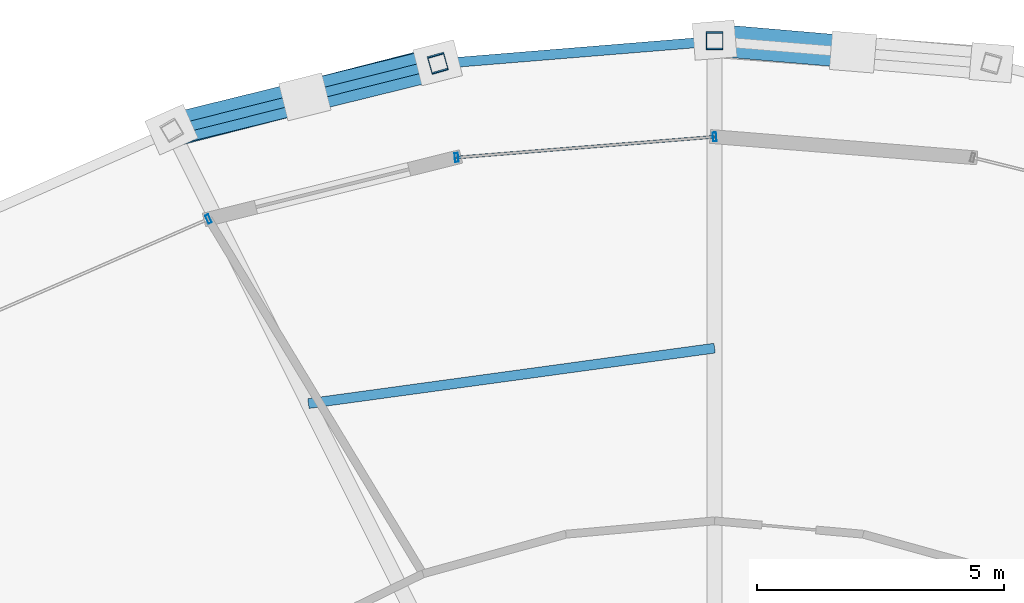
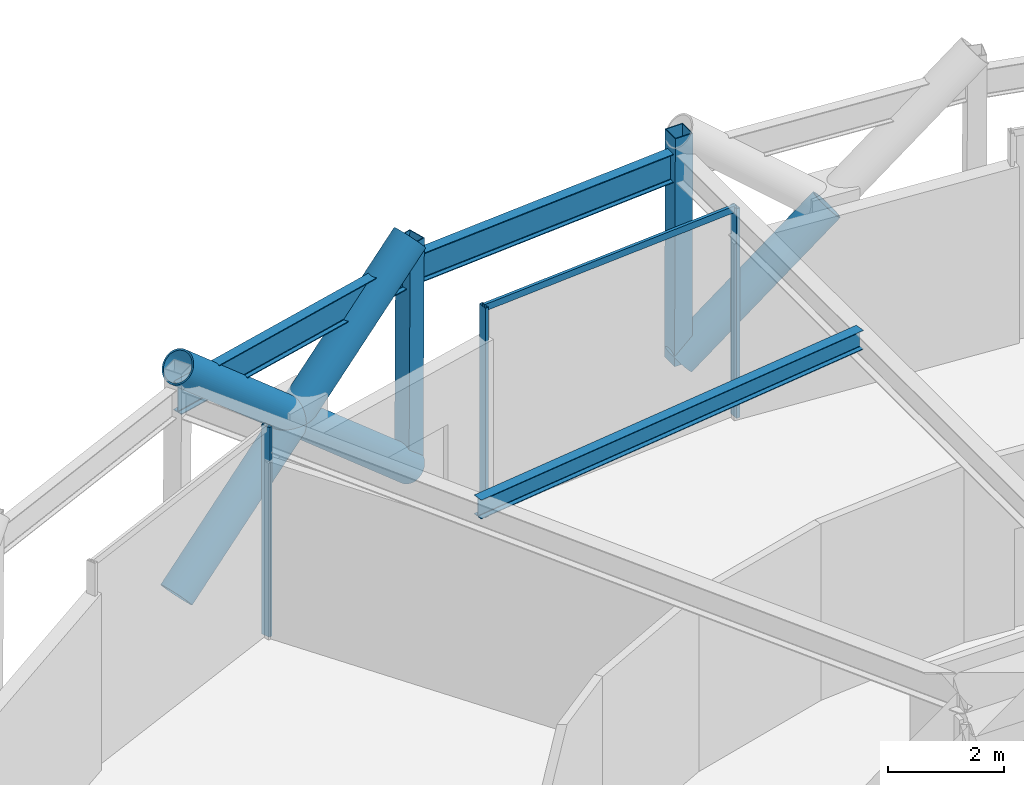
# One storey, part 25 of 39: 10 members, 3 beams, 2 elements without a shape of their own.
"""IFC4 building model written with IfcOpenShell, lengths in metres."""

import ifcopenshell
import ifcopenshell.guid

model = None  # the IFC model being written
_history = None  # IfcOwnerHistory: only IFC2X3 demands one
_inside = {}  # id of a spatial element -> (the spatial element, [elements in it])
_under = {}  # id of a project, library or spatial element -> (it, [spatial elements below it])
_declared = {}  # id of a project -> (the project, [libraries it declares])
_typed = {}  # id of a type object -> (the type object, [elements of that type])
_made_of = {}  # id of a material, layer set ... -> (it, [elements and type objects made of it])


def new_model(schema):
    """Start an empty IFC model of exactly this schema.

    Asked for "IFC4X3", IfcOpenShell would pick the latest addendum, in which some entities
    have other attributes; the version numbers below select the first issue.
    IFC2X3 requires an IfcOwnerHistory on every rooted entity: one is made here for all.
    """
    global model, _history
    if schema == "IFC4X3":
        model = ifcopenshell.file(schema_version=(4, 3, 0, 0))
    else:
        model = ifcopenshell.file(schema=schema)
    _inside.clear()
    _under.clear()
    _declared.clear()
    _typed.clear()
    _made_of.clear()
    _history = None
    if model.schema == "IFC2X3":
        org = make("IfcOrganization", Name="unknown")
        user = make(
            "IfcPersonAndOrganization",
            ThePerson=make("IfcPerson", FamilyName="unknown"),
            TheOrganization=org,
        )
        app = make(
            "IfcApplication",
            ApplicationDeveloper=org,
            Version="unknown",
            ApplicationFullName="unknown",
            ApplicationIdentifier="unknown",
        )
        _history = make(
            "IfcOwnerHistory",
            OwningUser=user,
            OwningApplication=app,
            ChangeAction="ADDED",
            CreationDate=0,
        )
    return model


def make(cls, **values):
    """One entity of the class cls with the attributes given. An attribute that is None is left unset."""
    return model.create_entity(
        cls, **{name: value for name, value in values.items() if value is not None}
    )


def rooted(cls, **values):
    """An entity with a GlobalId (a new one), such as an element, a storey or a relation."""
    return make(cls, GlobalId=ifcopenshell.guid.new(), OwnerHistory=_history, **values)


def si_unit(unit_type, name, prefix=None):
    """IfcSIUnit, for example si_unit("LENGTHUNIT", "METRE", prefix="MILLI")."""
    return make("IfcSIUnit", UnitType=unit_type, Prefix=prefix, Name=name)


def assignment(units):
    """IfcUnitAssignment: the units of a project."""
    return None if units is None else make("IfcUnitAssignment", Units=units)


def point(xyz):
    """IfcCartesianPoint."""
    return None if xyz is None else make("IfcCartesianPoint", Coordinates=xyz)


def direction(xyz):
    """IfcDirection."""
    return None if xyz is None else make("IfcDirection", DirectionRatios=xyz)


def frame(location, z_axis=None, x_axis=None):
    """IfcAxis2Placement3D, a coordinate frame: its origin and axes. An axis left out is left unset."""
    return make(
        "IfcAxis2Placement3D",
        Location=point(location),
        Axis=direction(z_axis),
        RefDirection=direction(x_axis),
    )


def frame_2d(location, x_axis=None):
    """IfcAxis2Placement2D, a coordinate frame in the plane: its origin and x axis."""
    return make(
        "IfcAxis2Placement2D", Location=point(location), RefDirection=direction(x_axis)
    )


def origin():
    """The frame at (0, 0, 0) with its axes left unset."""
    return frame((0.0, 0.0, 0.0))


def origin_2d():
    """The frame at (0, 0) in the plane with its x axis left unset."""
    return frame_2d((0.0, 0.0))


def place(relative_to, where):
    """IfcLocalPlacement: puts the frame where relative to a parent placement (None: the world)."""
    return make(
        "IfcLocalPlacement", PlacementRelTo=relative_to, RelativePlacement=where
    )


def context(
    kind, dimensions, precision=None, world=None, true_north=None, identifier=None
):
    """IfcGeometricRepresentationContext, for example the 3D "Model" context."""
    return make(
        "IfcGeometricRepresentationContext",
        ContextIdentifier=identifier,
        ContextType=kind,
        CoordinateSpaceDimension=dimensions,
        Precision=precision,
        WorldCoordinateSystem=world,
        TrueNorth=true_north,
    )


def subcontext(parent, identifier, kind, view, scale=None):
    """IfcGeometricRepresentationSubContext, for example "Body" below "Model"."""
    return make(
        "IfcGeometricRepresentationSubContext",
        ContextIdentifier=identifier,
        ContextType=kind,
        ParentContext=parent,
        TargetScale=scale,
        TargetView=view,
    )


def project(units=None, contexts=None):
    """IfcProject with its units and contexts."""
    return rooted(
        "IfcProject",
        Name="project",
        RepresentationContexts=contexts,
        UnitsInContext=assignment(units),
    )


def spatial(cls, under=None, at=None, **own):
    """A site, building, storey or space (cls), placed at a placement, below another one or the project."""
    s = rooted(cls, ObjectPlacement=at, **own)
    if under is not None:
        _under.setdefault(under.id(), (under, []))[1].append(s)
    return s


def profile(cls, at=None, kind="AREA", **sizes):
    """A parametric profile (cls). Its sizes go by their IFC names, for example OverallWidth=200.0."""
    return make(cls, ProfileType=kind, Position=at, **sizes)


def hollow_rectangle(**sizes):
    """IfcRectangleHollowProfileDef."""
    return profile("IfcRectangleHollowProfileDef", **sizes)


def hollow_circle(**sizes):
    """IfcCircleHollowProfileDef."""
    return profile("IfcCircleHollowProfileDef", **sizes)


def i_section(**sizes):
    """IfcIShapeProfileDef."""
    return profile("IfcIShapeProfileDef", **sizes)


def extrude(swept, where, along, depth):
    """IfcExtrudedAreaSolid: the profile swept, set in the frame where, extruded along a direction by depth."""
    return make(
        "IfcExtrudedAreaSolid",
        SweptArea=swept,
        Position=where,
        ExtrudedDirection=direction(along),
        Depth=depth,
    )


def shape(context_of_items, identifier, shape_type, items):
    """IfcShapeRepresentation: the items that make up one representation, for example the "Body"."""
    return make(
        "IfcShapeRepresentation",
        ContextOfItems=context_of_items,
        RepresentationIdentifier=identifier,
        RepresentationType=shape_type,
        Items=items,
    )


def material(Name=None, Category=None):
    """IfcMaterial."""
    return make("IfcMaterial", Name=Name, Category=Category)


def layer(
    of_material, thickness, ventilated=None, Name=None, Category=None, Priority=None
):
    """IfcMaterialLayer: one layer of a wall or slab, of a material (None: an air gap)."""
    return make(
        "IfcMaterialLayer",
        Material=of_material,
        LayerThickness=thickness,
        IsVentilated=ventilated,
        Name=Name,
        Category=Category,
        Priority=Priority,
    )


def layer_set(layers, Name=None):
    """IfcMaterialLayerSet."""
    return make("IfcMaterialLayerSet", MaterialLayers=layers, LayerSetName=Name)


def material_profile(
    of_material, cross_section, Name=None, Category=None, Priority=None
):
    """IfcMaterialProfile: a cross section and its material."""
    return make(
        "IfcMaterialProfile",
        Name=Name,
        Material=of_material,
        Profile=cross_section,
        Priority=Priority,
        Category=Category,
    )


def profile_set(profiles, Name=None, composite=None):
    """IfcMaterialProfileSet."""
    return make(
        "IfcMaterialProfileSet",
        Name=Name,
        MaterialProfiles=profiles,
        CompositeProfile=composite,
    )


def made_of(thing, what):
    """Note that an element or type object is made of a material, layer set ...; save() writes the relation."""
    if what is not None:
        _made_of.setdefault(what.id(), (what, []))[1].append(thing)
    return thing


def type_object(cls, material=None, **own):
    """A type object (cls), such as IfcWallType, which elements share."""
    return made_of(rooted(cls, **own), material)


def element(
    cls,
    number,
    at=None,
    inside=None,
    cuts=None,
    type_object=None,
    material=None,
    context=None,
    identifier="Body",
    shape_type=None,
    held_by="IfcProductDefinitionShape",
    body=None,
    shapes=None,
    **own,
):
    """One element of the class cls, such as IfcWall. Its Tag is "e" and its number.

    at: its placement. inside: the storey or other place that contains it. cuts: it is an
    opening in that element (IfcRelVoidsElement). A single representation is given by context,
    identifier, shape_type and body (its items); several are given by shapes. held_by: the class
    of the entity that holds the representations. save() writes the other relations.
    """
    e = rooted(cls, Tag="e%d" % number, ObjectPlacement=at, **own)
    if body is not None:
        shapes = [shape(context, identifier, shape_type, body)]
    if shapes is not None:
        e.Representation = make(held_by, Representations=shapes)
    if inside is not None:
        _inside.setdefault(inside.id(), (inside, []))[1].append(e)
    if cuts is not None:
        rooted(
            "IfcRelVoidsElement", RelatingBuildingElement=cuts, RelatedOpeningElement=e
        )
    if type_object is not None:
        _typed.setdefault(type_object.id(), (type_object, []))[1].append(e)
    return made_of(e, material)


def aggregate(whole, parts):
    """IfcRelAggregates: a whole, such as a stair, and the parts it consists of."""
    return rooted("IfcRelAggregates", RelatingObject=whole, RelatedObjects=parts)


def save(model, path):
    """Write the relations noted so far, then the file.

    IfcRelAggregates (storeys below a building ...), IfcRelContainedInSpatialStructure (elements
    in a storey), IfcRelDefinesByType, IfcRelAssociatesMaterial and IfcRelDeclares: one each for
    every whole, place, type object, material and project.
    """
    for whole, parts in _under.values():
        aggregate(whole, parts)
    for where, things in _inside.values():
        rooted(
            "IfcRelContainedInSpatialStructure",
            RelatedElements=things,
            RelatingStructure=where,
        )
    for kind, things in _typed.values():
        rooted("IfcRelDefinesByType", RelatedObjects=things, RelatingType=kind)
    for what, things in _made_of.values():
        rooted("IfcRelAssociatesMaterial", RelatedObjects=things, RelatingMaterial=what)
    for by, libraries in _declared.values():
        rooted("IfcRelDeclares", RelatingContext=by, RelatedDefinitions=libraries)
    model.write(path)


model = new_model("IFC4")

# Units and contexts
model_context = context("Model", 3, precision=1e-05, world=origin(), true_north=direction((0.0, 1.0)))
body_context = subcontext(model_context, "Body", "Model", "MODEL_VIEW")
ifc_project = project(units=[si_unit("LENGTHUNIT", "METRE"), si_unit("AREAUNIT", "SQUARE_METRE"), si_unit("VOLUMEUNIT", "CUBIC_METRE"), si_unit("PLANEANGLEUNIT", "RADIAN"), si_unit("MASSUNIT", "GRAM", prefix="KILO")], contexts=[model_context])

# Site, building, storey
site_placement = place(None, origin())
site = spatial("IfcSite", under=ifc_project, at=site_placement, CompositionType="ELEMENT")
building_placement = place(site_placement, origin())
building = spatial("IfcBuilding", under=site, at=building_placement, Name="Veldorina Hangang Commons", CompositionType="ELEMENT")
storey_placement = place(building_placement, frame((0.0, 0.0, 106.0)))
storey = spatial("IfcBuildingStorey", under=building, at=storey_placement, Name="L27", CompositionType="ELEMENT", Elevation=106.0)

# Beams
ifc_material_1 = material(Name="Steel SM355-TMC", Category="steel")
ifc_material_profile_1 = material_profile(ifc_material_1, i_section(OverallWidth=0.199951171875, OverallDepth=0.39990234375, WebThickness=0.008056640625, FlangeThickness=0.012939453125, FilletRadius=0.012939453125, at=origin_2d()), Name="H-400x200x8x13")
ifc_profile_set_1 = profile_set([ifc_material_profile_1], Name="Steel SM355-TMC")
beam_type_1 = type_object("IfcBeamType", Name="BM-JST400", PredefinedType="JOIST", material=ifc_profile_set_1)
beam_1_placement = place(storey_placement, frame((32.0, 41.6025390625, 4.239990234375), z_axis=(-0.990812466832, -0.135242950166, 0.0), x_axis=(0.135242950166, -0.990812466832, 0.0)))
element("IfcBeam", 1, at=beam_1_placement, inside=storey, type_object=beam_type_1, Name="L27 secondary floor joist 05", PredefinedType="JOIST", context=body_context, shape_type="SweptSolid", body=[
    extrude(i_section(OverallWidth=0.199951171875, OverallDepth=0.39990234375, WebThickness=0.008056640625, FlangeThickness=0.012939453125, FilletRadius=0.012939453125, at=origin_2d()), origin(), (0.0, 0.0, 1.0), 8.31298828125),
])
ifc_material_2 = material(Name="Steel SM420-TMC", Category="steel")
ifc_material_profile_2 = material_profile(ifc_material_2, i_section(OverallWidth=0.199951171875, OverallDepth=0.60009765625, WebThickness=0.010986328125, FlangeThickness=0.01708984375, FilletRadius=0.01806640625, at=origin_2d()), Name="H-600x200x11x17")
ifc_profile_set_2 = profile_set([ifc_material_profile_2], Name="Steel SM420-TMC")
beam_type_2 = type_object("IfcBeamType", Name="BM-RB600", PredefinedType="BEAM", material=ifc_profile_set_2)
beam_2_placement = place(storey_placement, frame((32.0, 47.8251953125, 4.139892578125), z_axis=(-0.996686123384, -0.081343539712, 0.0), x_axis=(0.081343539712, -0.996686123384, 0.0)))
element("IfcBeam", 2, at=beam_2_placement, inside=storey, type_object=beam_type_2, Name="L27 perimeter hoop ring beam 08", PredefinedType="BEAM", context=body_context, shape_type="SweptSolid", body=[
    extrude(i_section(OverallWidth=0.199951171875, OverallDepth=0.60009765625, WebThickness=0.010986328125, FlangeThickness=0.01708984375, FilletRadius=0.01806640625, at=origin_2d()), origin(), (0.0, 0.0, 1.0), 5.62744140625),
])
beam_3_placement = place(storey_placement, frame((26.39111328125, 47.367431640625, 4.139892578125), z_axis=(-0.969829219212, -0.243785326798, 0.0), x_axis=(0.243785326798, -0.969829219212, 0.0)))
element("IfcBeam", 3, at=beam_3_placement, inside=storey, type_object=beam_type_2, Name="L27 perimeter hoop ring beam 09", PredefinedType="BEAM", context=body_context, shape_type="SweptSolid", body=[
    extrude(i_section(OverallWidth=0.199951171875, OverallDepth=0.60009765625, WebThickness=0.010986328125, FlangeThickness=0.01708984375, FilletRadius=0.01806640625, at=origin_2d()), origin(), (0.0, 0.0, 1.0), 5.56103515625),
])

# Curtain wall, members
ifc_material_3 = material(Name="Glass Acoustic Laminated", Category="glass")
ifc_layer = layer(ifc_material_3, 0.179931640625)
ifc_layer_set = layer_set([ifc_layer], Name="Glass Acoustic Laminated")
curtain_wall_type = type_object("IfcCurtainWallType", Name="CW-SYS-SKY", PredefinedType="NOTDEFINED", material=ifc_layer_set)
curtain_wall_1_placement = place(storey_placement, origin())
curtain_wall_1 = element("IfcCurtainWall", 4, at=curtain_wall_1_placement, inside=storey, type_object=curtain_wall_type, Name="L27 unitised curtain wall CW-L27-R5", PredefinedType="NOTDEFINED")
ifc_material_4 = material(Name="Aluminium Anodized AA6063-T6", Category="aluminium")
ifc_material_profile_3 = material_profile(ifc_material_4, hollow_rectangle(XDim=0.070068359375, YDim=0.179931640625, WallThickness=0.00390625, at=origin_2d()), Name="ALU-RHS-180x70x4")
ifc_profile_set_3 = profile_set([ifc_material_profile_3], Name="Aluminium Anodized AA6063-T6")
member_type_1 = type_object("IfcMemberType", Name="CW-MUL-180", PredefinedType="MULLION", material=ifc_profile_set_3)
member_1_placement = place(storey_placement, frame((32.0, 45.88818359375, 0.0), z_axis=(0.0, 0.0, 1.0), x_axis=(-0.996785873337, -0.080111938657, 0.0)))
member_1 = element("IfcMember", 5, at=member_1_placement, type_object=member_type_1, Name="CW-L27-R5 vertical mullion 1", PredefinedType="MULLION", context=body_context, shape_type="SweptSolid", body=[
    extrude(hollow_rectangle(XDim=0.070068359375, YDim=0.179931640625, WallThickness=0.00390625, at=origin_2d()), origin(), (0.0, 0.0, 1.0), 4.39990234375),
])
member_2_placement = place(storey_placement, frame((26.76708984375, 45.467529296875, 0.0), z_axis=(0.0, 0.0, 1.0), x_axis=(0.996785873337, 0.080111938657, 0.0)))
member_2 = element("IfcMember", 6, at=member_2_placement, type_object=member_type_1, Name="CW-L27-R5 vertical mullion 2", PredefinedType="MULLION", context=body_context, shape_type="SweptSolid", body=[
    extrude(hollow_rectangle(XDim=0.070068359375, YDim=0.179931640625, WallThickness=0.00390625, at=origin_2d()), origin(), (0.0, 0.0, 1.0), 4.39990234375),
])

# Curtain wall, member
curtain_wall_2_placement = place(storey_placement, origin())
curtain_wall_2 = element("IfcCurtainWall", 7, at=curtain_wall_2_placement, inside=storey, type_object=curtain_wall_type, Name="L27 unitised curtain wall CW-L27-R6", PredefinedType="NOTDEFINED")
member_3_placement = place(storey_placement, frame((21.7353515625, 44.221923828125, 0.0), z_axis=(0.0, 0.0, 1.0), x_axis=(-0.916600140104, -0.39980518151, 0.0)))
member_3 = element("IfcMember", 8, at=member_3_placement, type_object=member_type_1, Name="CW-L27-R6 vertical mullion 1", PredefinedType="MULLION", context=body_context, shape_type="SweptSolid", body=[
    extrude(hollow_rectangle(XDim=0.070068359375, YDim=0.179931640625, WallThickness=0.00390625, at=origin_2d()), origin(), (0.0, 0.0, 1.0), 4.39990234375),
])
aggregate(curtain_wall_2, [member_3])

# Member
ifc_material_profile_4 = material_profile(ifc_material_4, hollow_rectangle(XDim=0.06005859375, YDim=0.139892578125, WallThickness=0.00341796875, at=origin_2d()), Name="ALU-RHS-140x60x3.5")
ifc_profile_set_4 = profile_set([ifc_material_profile_4], Name="Aluminium Anodized AA6063-T6")
member_type_2 = type_object("IfcMemberType", Name="CW-TRN-140", PredefinedType="USERDEFINED", material=ifc_profile_set_4)
member_4_placement = place(storey_placement, frame((32.0, 45.88818359375, 4.360107421875), z_axis=(-0.996784596202, -0.080127827716, 0.0), x_axis=(0.080127827716, -0.996784596202, 0.0)))
member_4 = element("IfcMember", 9, at=member_4_placement, type_object=member_type_2, Name="CW-L27-R5 facet 1 transom 1", ObjectType="TRANSOM", PredefinedType="USERDEFINED", context=body_context, shape_type="SweptSolid", body=[
    extrude(hollow_rectangle(XDim=0.06005859375, YDim=0.139892578125, WallThickness=0.00341796875, at=origin_2d()), origin(), (0.0, 0.0, 1.0), 5.249755859375),
])

aggregate(curtain_wall_1, [member_1, member_2, member_4])

# Members
ifc_material_5 = material(Name="Steel SM460-TMC", Category="steel")
ifc_material_profile_5 = material_profile(ifc_material_5, hollow_circle(Radius=0.324951171875, WallThickness=0.031982421875, at=origin_2d()), Name="CHS-650x32")
ifc_profile_set_5 = profile_set([ifc_material_profile_5], Name="Steel SM460-TMC")
member_type_3 = type_object("IfcMemberType", Name="DG-CHS650", PredefinedType="BRACE", material=ifc_profile_set_5)
member_5_placement = place(storey_placement, frame((32.0, 47.84814453125, 0.0), z_axis=(0.75809023176, -0.065433351597, 0.648858749659), x_axis=(0.085993675925, 0.996295682868, 0.0)))
element("IfcMember", 10, at=member_5_placement, inside=storey, type_object=member_type_3, Name="L27 split perimeter diagrid lower brace 08", PredefinedType="BRACE", context=body_context, shape_type="SweptSolid", body=[
    extrude(hollow_circle(Radius=0.324951171875, WallThickness=0.031982421875, at=origin_2d()), origin(), (0.0, 0.0, 1.0), 3.701171875),
])
member_6_placement = place(storey_placement, frame((26.384765625, 47.389892578125, 0.0), z_axis=(-0.733162851579, -0.18810212527, 0.653521096472), x_axis=(0.248513756508, -0.968628366726, 0.0)))
element("IfcMember", 11, at=member_6_placement, inside=storey, type_object=member_type_3, Name="L27 continuous perimeter diagrid brace 09", PredefinedType="BRACE", context=body_context, shape_type="SweptSolid", body=[
    extrude(hollow_circle(Radius=0.324951171875, WallThickness=0.031982421875, at=origin_2d()), origin(), (0.0, 0.0, 1.0), 7.344970703125),
])
member_7_placement = place(storey_placement, frame((20.9853515625, 46.03271484375, 0.0), z_axis=(0.735446004637, 0.181073709445, 0.652940645091), x_axis=(-0.239069895386, 0.971002361027, 0.0)))
element("IfcMember", 12, at=member_7_placement, inside=storey, type_object=member_type_3, Name="L27 split perimeter diagrid lower brace 10", PredefinedType="BRACE", context=body_context, shape_type="SweptSolid", body=[
    extrude(hollow_circle(Radius=0.324951171875, WallThickness=0.031982421875, at=origin_2d()), origin(), (0.0, 0.0, 1.0), 3.67822265625),
])
member_8_placement = place(storey_placement, frame((23.6904296875, 46.69873046875, 2.401611328125), z_axis=(0.735460258201, 0.181106922429, 0.652915378327), x_axis=(-0.239106870112, 0.970993256756, 0.0)))
element("IfcMember", 13, at=member_8_placement, inside=storey, type_object=member_type_3, Name="L27 split perimeter diagrid upper brace 10", PredefinedType="BRACE", context=body_context, shape_type="SweptSolid", body=[
    extrude(hollow_circle(Radius=0.324951171875, WallThickness=0.031982421875, at=origin_2d()), origin(), (0.0, 0.0, 1.0), 3.67333984375),
])
ifc_material_profile_6 = material_profile(ifc_material_1, hollow_rectangle(XDim=0.35009765625, YDim=0.35009765625, WallThickness=0.01611328125, at=origin_2d()), Name="SHS-350x350x16")
ifc_profile_set_6 = profile_set([ifc_material_profile_6], Name="Steel SM355-TMC")
member_type_4 = type_object("IfcMemberType", Name="STR-SHS350", PredefinedType="STRUT", material=ifc_profile_set_6)
for number, where, z_axis, x_axis, name in (
    (14, (32.0, 47.84814453125, 0.0), (0.0, -0.0055438851, 0.999984632551), (1.0, 0.0, 0.0), "L27 perimeter ring node post 08"),
    (15, (26.384765625, 47.389892578125, 0.0), (0.001525839432, -0.005391299328, 0.99998430273), (0.962206045824, 0.272322465799, 0.0), "L27 perimeter ring node post 09"),
):
    element("IfcMember", number, at=place(storey_placement, frame(where, z_axis=z_axis, x_axis=x_axis)), inside=storey, type_object=member_type_4, Name=name, PredefinedType="STRUT", context=body_context, shape_type="SweptSolid", body=[
        extrude(hollow_rectangle(XDim=0.35009765625, YDim=0.35009765625, WallThickness=0.01611328125, at=origin_2d()), origin(), (0.0, 0.0, 1.0), 4.800048828125),
    ])

save(model, "model.ifc")
